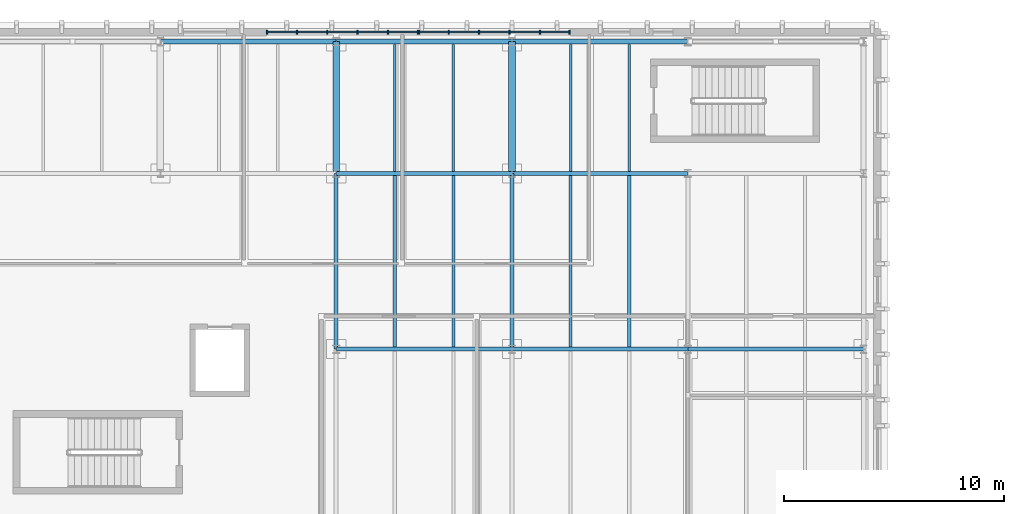
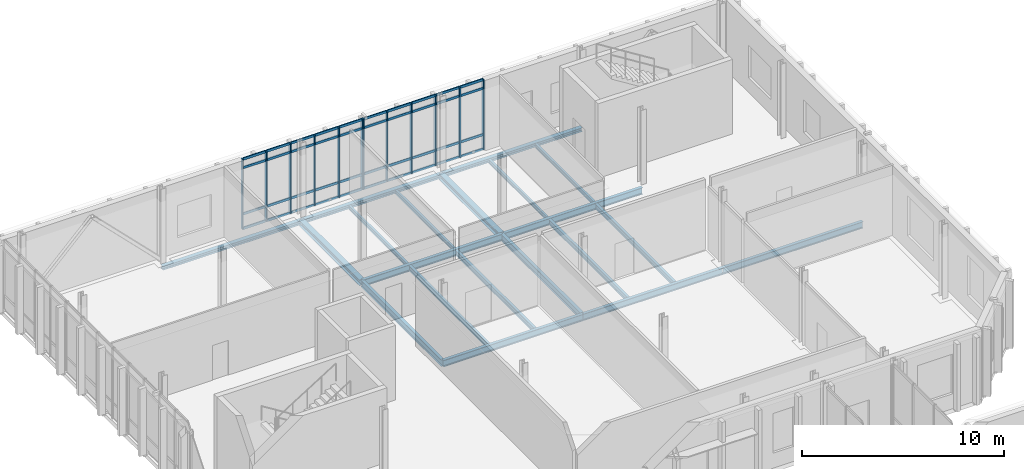
# One storey, part 36 of 86: 52 members, 20 beams, 2 elements without a shape of their own.
"""IFC4 building model written with IfcOpenShell, lengths in metres."""

from ifc_helpers import new_model, si_unit, direction, frame, origin, origin_2d, place, context, subcontext, project, spatial, rectangle, i_section, extrude, material, material_profile, profile_set, type_object, element, aggregate, save


model = new_model("IFC4")

# Units and contexts
model_context = context("Model", 3, precision=1e-05, world=origin(), true_north=direction((0.0, 1.0)))
body_context = subcontext(model_context, "Body", "Model", "MODEL_VIEW")
ifc_project = project(units=[si_unit("LENGTHUNIT", "METRE"), si_unit("AREAUNIT", "SQUARE_METRE"), si_unit("VOLUMEUNIT", "CUBIC_METRE"), si_unit("PLANEANGLEUNIT", "RADIAN"), si_unit("MASSUNIT", "GRAM", prefix="KILO")], contexts=[model_context])

# Site, building, storey
site_placement = place(None, origin())
site = spatial("IfcSite", under=ifc_project, at=site_placement, CompositionType="ELEMENT")
building_placement = place(site_placement, origin())
building = spatial("IfcBuilding", under=site, at=building_placement, Name="Cymarion Research Institute", CompositionType="ELEMENT")
storey_placement = place(building_placement, frame((0.0, 0.0, 13.800048828125)))
storey = spatial("IfcBuildingStorey", under=building, at=storey_placement, Name="L03", CompositionType="ELEMENT", Elevation=13.800048828125)

# Curtain wall, members
ifc_material_1 = material(Name="Anodised aluminium unitised curtain wall with Low-E glazing", Category="aluminium")
curtain_wall_type = type_object("IfcCurtainWallType", Name="UNITISED CURTAIN WALL CW23 6910X4250", PredefinedType="NOTDEFINED", material=ifc_material_1)
curtain_wall_1_placement = place(storey_placement, origin())
curtain_wall_1 = element("IfcCurtainWall", 1, at=curtain_wall_1_placement, inside=storey, type_object=curtain_wall_type, Name="L03 V5 unitised curtain wall CW23 #162", PredefinedType="NOTDEFINED")
ifc_material_2 = material(Name="Anodised aluminium framing", Category="aluminium")
ifc_material_profile_1 = material_profile(ifc_material_2, rectangle(XDim=0.06005859375, YDim=0.179931640625, at=origin_2d()), Name="ALU MULLION 60x180")
ifc_profile_set_1 = profile_set([ifc_material_profile_1], Name="Anodised aluminium framing")
member_type_1 = type_object("IfcMemberType", Name="CURTAIN WALL MULLION ML01 60X180", PredefinedType="MULLION", material=ifc_profile_set_1)
member_1_placement = place(storey_placement, frame((33.221923828125, 115.929931640625, 0.0), z_axis=(0.0, 0.0, 1.0), x_axis=(-1.0, 0.0, 0.0)))
member_1 = element("IfcMember", 2, at=member_1_placement, type_object=member_type_1, Name="CW23 mullion 1", PredefinedType="MULLION", context=body_context, shape_type="SweptSolid", body=[
    extrude(rectangle(XDim=0.06005859375, YDim=0.179931640625, at=origin_2d()), origin(), (0.0, 0.0, 1.0), 4.25),
])
member_2_placement = place(storey_placement, frame((31.869384765625, 115.929931640625, 0.0), z_axis=(0.0, 0.0, 1.0), x_axis=(-1.0, 0.0, 0.0)))
member_2 = element("IfcMember", 3, at=member_2_placement, type_object=member_type_1, Name="CW23 mullion 2", PredefinedType="MULLION", context=body_context, shape_type="SweptSolid", body=[
    extrude(rectangle(XDim=0.06005859375, YDim=0.179931640625, at=origin_2d()), origin(), (0.0, 0.0, 1.0), 4.25),
])
member_3_placement = place(storey_placement, frame((30.48681640625, 115.929931640625, 0.0), z_axis=(0.0, 0.0, 1.0), x_axis=(-1.0, 0.0, 0.0)))
member_3 = element("IfcMember", 4, at=member_3_placement, type_object=member_type_1, Name="CW23 mullion 3", PredefinedType="MULLION", context=body_context, shape_type="SweptSolid", body=[
    extrude(rectangle(XDim=0.06005859375, YDim=0.179931640625, at=origin_2d()), origin(), (0.0, 0.0, 1.0), 4.25),
])
member_4_placement = place(storey_placement, frame((29.104248046875, 115.929931640625, 0.0), z_axis=(0.0, 0.0, 1.0), x_axis=(-1.0, 0.0, 0.0)))
member_4 = element("IfcMember", 5, at=member_4_placement, type_object=member_type_1, Name="CW23 mullion 4", PredefinedType="MULLION", context=body_context, shape_type="SweptSolid", body=[
    extrude(rectangle(XDim=0.06005859375, YDim=0.179931640625, at=origin_2d()), origin(), (0.0, 0.0, 1.0), 4.25),
])
member_5_placement = place(storey_placement, frame((27.7216796875, 115.929931640625, 0.0), z_axis=(0.0, 0.0, 1.0), x_axis=(-1.0, 0.0, 0.0)))
member_5 = element("IfcMember", 6, at=member_5_placement, type_object=member_type_1, Name="CW23 mullion 5", PredefinedType="MULLION", context=body_context, shape_type="SweptSolid", body=[
    extrude(rectangle(XDim=0.06005859375, YDim=0.179931640625, at=origin_2d()), origin(), (0.0, 0.0, 1.0), 4.25),
])
member_6_placement = place(storey_placement, frame((26.368896484375, 115.929931640625, 0.0), z_axis=(0.0, 0.0, 1.0), x_axis=(-1.0, 0.0, 0.0)))
member_6 = element("IfcMember", 7, at=member_6_placement, type_object=member_type_1, Name="CW23 mullion 6", PredefinedType="MULLION", context=body_context, shape_type="SweptSolid", body=[
    extrude(rectangle(XDim=0.06005859375, YDim=0.179931640625, at=origin_2d()), origin(), (0.0, 0.0, 1.0), 4.25),
])

curtain_wall_2_placement = place(storey_placement, origin())
curtain_wall_2 = element("IfcCurtainWall", 8, at=curtain_wall_2_placement, inside=storey, type_object=curtain_wall_type, Name="L03 V5 unitised curtain wall CW23 #163", PredefinedType="NOTDEFINED")
member_7_placement = place(storey_placement, frame((26.30908203125, 115.929931640625, 0.0), z_axis=(0.0, 0.0, 1.0), x_axis=(-1.0, 0.0, 0.0)))
member_7 = element("IfcMember", 9, at=member_7_placement, type_object=member_type_1, Name="CW23 mullion 1", PredefinedType="MULLION", context=body_context, shape_type="SweptSolid", body=[
    extrude(rectangle(XDim=0.06005859375, YDim=0.179931640625, at=origin_2d()), origin(), (0.0, 0.0, 1.0), 4.25),
])
member_8_placement = place(storey_placement, frame((24.956298828125, 115.929931640625, 0.0), z_axis=(0.0, 0.0, 1.0), x_axis=(-1.0, 0.0, 0.0)))
member_8 = element("IfcMember", 10, at=member_8_placement, type_object=member_type_1, Name="CW23 mullion 2", PredefinedType="MULLION", context=body_context, shape_type="SweptSolid", body=[
    extrude(rectangle(XDim=0.06005859375, YDim=0.179931640625, at=origin_2d()), origin(), (0.0, 0.0, 1.0), 4.25),
])
member_9_placement = place(storey_placement, frame((23.57373046875, 115.929931640625, 0.0), z_axis=(0.0, 0.0, 1.0), x_axis=(-1.0, 0.0, 0.0)))
member_9 = element("IfcMember", 11, at=member_9_placement, type_object=member_type_1, Name="CW23 mullion 3", PredefinedType="MULLION", context=body_context, shape_type="SweptSolid", body=[
    extrude(rectangle(XDim=0.06005859375, YDim=0.179931640625, at=origin_2d()), origin(), (0.0, 0.0, 1.0), 4.25),
])
member_10_placement = place(storey_placement, frame((22.191162109375, 115.929931640625, 0.0), z_axis=(0.0, 0.0, 1.0), x_axis=(-1.0, 0.0, 0.0)))
member_10 = element("IfcMember", 12, at=member_10_placement, type_object=member_type_1, Name="CW23 mullion 4", PredefinedType="MULLION", context=body_context, shape_type="SweptSolid", body=[
    extrude(rectangle(XDim=0.06005859375, YDim=0.179931640625, at=origin_2d()), origin(), (0.0, 0.0, 1.0), 4.25),
])
member_11_placement = place(storey_placement, frame((20.80859375, 115.929931640625, 0.0), z_axis=(0.0, 0.0, 1.0), x_axis=(-1.0, 0.0, 0.0)))
member_11 = element("IfcMember", 13, at=member_11_placement, type_object=member_type_1, Name="CW23 mullion 5", PredefinedType="MULLION", context=body_context, shape_type="SweptSolid", body=[
    extrude(rectangle(XDim=0.06005859375, YDim=0.179931640625, at=origin_2d()), origin(), (0.0, 0.0, 1.0), 4.25),
])
member_12_placement = place(storey_placement, frame((19.4560546875, 115.929931640625, 0.0), z_axis=(0.0, 0.0, 1.0), x_axis=(-1.0, 0.0, 0.0)))
member_12 = element("IfcMember", 14, at=member_12_placement, type_object=member_type_1, Name="CW23 mullion 6", PredefinedType="MULLION", context=body_context, shape_type="SweptSolid", body=[
    extrude(rectangle(XDim=0.06005859375, YDim=0.179931640625, at=origin_2d()), origin(), (0.0, 0.0, 1.0), 4.25),
])

# Member
ifc_material_profile_2 = material_profile(ifc_material_2, rectangle(XDim=0.06005859375, YDim=0.14990234375, at=origin_2d()), Name="ALU TRANSOM 60x150")
ifc_profile_set_2 = profile_set([ifc_material_profile_2], Name="Anodised aluminium framing")
member_type_2 = type_object("IfcMemberType", Name="CURTAIN WALL TRANSOM TR01 60X150", PredefinedType="USERDEFINED", material=ifc_profile_set_2)
member_13_placement = place(storey_placement, frame((33.19189453125, 115.929931640625, 0.030029296875), z_axis=(-1.0, 0.0, 0.0), x_axis=(0.0, -1.0, 0.0)))
member_13 = element("IfcMember", 15, at=member_13_placement, type_object=member_type_2, Name="CW23 transom 1.1", ObjectType="TRANSOM", PredefinedType="USERDEFINED", context=body_context, shape_type="SweptSolid", body=[
    extrude(rectangle(XDim=0.06005859375, YDim=0.14990234375, at=origin_2d()), origin(), (0.0, 0.0, 1.0), 1.29248046875),
])

member_14_placement = place(storey_placement, frame((33.19189453125, 115.929931640625, 0.89990234375), z_axis=(-1.0, 0.0, 0.0), x_axis=(0.0, -1.0, 0.0)))
member_14 = element("IfcMember", 16, at=member_14_placement, type_object=member_type_2, Name="CW23 transom 1.2", ObjectType="TRANSOM", PredefinedType="USERDEFINED", context=body_context, shape_type="SweptSolid", body=[
    extrude(rectangle(XDim=0.06005859375, YDim=0.14990234375, at=origin_2d()), origin(), (0.0, 0.0, 1.0), 1.29248046875),
])

member_15_placement = place(storey_placement, frame((33.19189453125, 115.929931640625, 3.699951171875), z_axis=(-1.0, 0.0, 0.0), x_axis=(0.0, -1.0, 0.0)))
member_15 = element("IfcMember", 17, at=member_15_placement, type_object=member_type_2, Name="CW23 transom 1.3", ObjectType="TRANSOM", PredefinedType="USERDEFINED", context=body_context, shape_type="SweptSolid", body=[
    extrude(rectangle(XDim=0.06005859375, YDim=0.14990234375, at=origin_2d()), origin(), (0.0, 0.0, 1.0), 1.29248046875),
])

member_16_placement = place(storey_placement, frame((33.19189453125, 115.929931640625, 4.219970703125), z_axis=(-1.0, 0.0, 0.0), x_axis=(0.0, -1.0, 0.0)))
member_16 = element("IfcMember", 18, at=member_16_placement, type_object=member_type_2, Name="CW23 transom 1.4", ObjectType="TRANSOM", PredefinedType="USERDEFINED", context=body_context, shape_type="SweptSolid", body=[
    extrude(rectangle(XDim=0.06005859375, YDim=0.14990234375, at=origin_2d()), origin(), (0.0, 0.0, 1.0), 1.29248046875),
])

member_17_placement = place(storey_placement, frame((31.83935546875, 115.929931640625, 0.030029296875), z_axis=(-1.0, 0.0, 0.0), x_axis=(0.0, -1.0, 0.0)))
member_17 = element("IfcMember", 19, at=member_17_placement, type_object=member_type_2, Name="CW23 transom 2.1", ObjectType="TRANSOM", PredefinedType="USERDEFINED", context=body_context, shape_type="SweptSolid", body=[
    extrude(rectangle(XDim=0.06005859375, YDim=0.14990234375, at=origin_2d()), origin(), (0.0, 0.0, 1.0), 1.322509765625),
])

member_18_placement = place(storey_placement, frame((31.83935546875, 115.929931640625, 0.89990234375), z_axis=(-1.0, 0.0, 0.0), x_axis=(0.0, -1.0, 0.0)))
member_18 = element("IfcMember", 20, at=member_18_placement, type_object=member_type_2, Name="CW23 transom 2.2", ObjectType="TRANSOM", PredefinedType="USERDEFINED", context=body_context, shape_type="SweptSolid", body=[
    extrude(rectangle(XDim=0.06005859375, YDim=0.14990234375, at=origin_2d()), origin(), (0.0, 0.0, 1.0), 1.322509765625),
])

member_19_placement = place(storey_placement, frame((31.83935546875, 115.929931640625, 3.699951171875), z_axis=(-1.0, 0.0, 0.0), x_axis=(0.0, -1.0, 0.0)))
member_19 = element("IfcMember", 21, at=member_19_placement, type_object=member_type_2, Name="CW23 transom 2.3", ObjectType="TRANSOM", PredefinedType="USERDEFINED", context=body_context, shape_type="SweptSolid", body=[
    extrude(rectangle(XDim=0.06005859375, YDim=0.14990234375, at=origin_2d()), origin(), (0.0, 0.0, 1.0), 1.322509765625),
])

member_20_placement = place(storey_placement, frame((31.83935546875, 115.929931640625, 4.219970703125), z_axis=(-1.0, 0.0, 0.0), x_axis=(0.0, -1.0, 0.0)))
member_20 = element("IfcMember", 22, at=member_20_placement, type_object=member_type_2, Name="CW23 transom 2.4", ObjectType="TRANSOM", PredefinedType="USERDEFINED", context=body_context, shape_type="SweptSolid", body=[
    extrude(rectangle(XDim=0.06005859375, YDim=0.14990234375, at=origin_2d()), origin(), (0.0, 0.0, 1.0), 1.322509765625),
])

member_21_placement = place(storey_placement, frame((30.456787109375, 115.929931640625, 0.030029296875), z_axis=(-1.0, 0.0, 0.0), x_axis=(0.0, -1.0, 0.0)))
member_21 = element("IfcMember", 23, at=member_21_placement, type_object=member_type_2, Name="CW23 transom 3.1", ObjectType="TRANSOM", PredefinedType="USERDEFINED", context=body_context, shape_type="SweptSolid", body=[
    extrude(rectangle(XDim=0.06005859375, YDim=0.14990234375, at=origin_2d()), origin(), (0.0, 0.0, 1.0), 1.322509765625),
])

member_22_placement = place(storey_placement, frame((30.456787109375, 115.929931640625, 0.89990234375), z_axis=(-1.0, 0.0, 0.0), x_axis=(0.0, -1.0, 0.0)))
member_22 = element("IfcMember", 24, at=member_22_placement, type_object=member_type_2, Name="CW23 transom 3.2", ObjectType="TRANSOM", PredefinedType="USERDEFINED", context=body_context, shape_type="SweptSolid", body=[
    extrude(rectangle(XDim=0.06005859375, YDim=0.14990234375, at=origin_2d()), origin(), (0.0, 0.0, 1.0), 1.322509765625),
])

member_23_placement = place(storey_placement, frame((30.456787109375, 115.929931640625, 3.699951171875), z_axis=(-1.0, 0.0, 0.0), x_axis=(0.0, -1.0, 0.0)))
member_23 = element("IfcMember", 25, at=member_23_placement, type_object=member_type_2, Name="CW23 transom 3.3", ObjectType="TRANSOM", PredefinedType="USERDEFINED", context=body_context, shape_type="SweptSolid", body=[
    extrude(rectangle(XDim=0.06005859375, YDim=0.14990234375, at=origin_2d()), origin(), (0.0, 0.0, 1.0), 1.322509765625),
])

member_24_placement = place(storey_placement, frame((30.456787109375, 115.929931640625, 4.219970703125), z_axis=(-1.0, 0.0, 0.0), x_axis=(0.0, -1.0, 0.0)))
member_24 = element("IfcMember", 26, at=member_24_placement, type_object=member_type_2, Name="CW23 transom 3.4", ObjectType="TRANSOM", PredefinedType="USERDEFINED", context=body_context, shape_type="SweptSolid", body=[
    extrude(rectangle(XDim=0.06005859375, YDim=0.14990234375, at=origin_2d()), origin(), (0.0, 0.0, 1.0), 1.322509765625),
])

member_25_placement = place(storey_placement, frame((29.07421875, 115.929931640625, 0.030029296875), z_axis=(-1.0, 0.0, 0.0), x_axis=(0.0, -1.0, 0.0)))
member_25 = element("IfcMember", 27, at=member_25_placement, type_object=member_type_2, Name="CW23 transom 4.1", ObjectType="TRANSOM", PredefinedType="USERDEFINED", context=body_context, shape_type="SweptSolid", body=[
    extrude(rectangle(XDim=0.06005859375, YDim=0.14990234375, at=origin_2d()), origin(), (0.0, 0.0, 1.0), 1.322509765625),
])

member_26_placement = place(storey_placement, frame((29.07421875, 115.929931640625, 0.89990234375), z_axis=(-1.0, 0.0, 0.0), x_axis=(0.0, -1.0, 0.0)))
member_26 = element("IfcMember", 28, at=member_26_placement, type_object=member_type_2, Name="CW23 transom 4.2", ObjectType="TRANSOM", PredefinedType="USERDEFINED", context=body_context, shape_type="SweptSolid", body=[
    extrude(rectangle(XDim=0.06005859375, YDim=0.14990234375, at=origin_2d()), origin(), (0.0, 0.0, 1.0), 1.322509765625),
])

member_27_placement = place(storey_placement, frame((29.07421875, 115.929931640625, 3.699951171875), z_axis=(-1.0, 0.0, 0.0), x_axis=(0.0, -1.0, 0.0)))
member_27 = element("IfcMember", 29, at=member_27_placement, type_object=member_type_2, Name="CW23 transom 4.3", ObjectType="TRANSOM", PredefinedType="USERDEFINED", context=body_context, shape_type="SweptSolid", body=[
    extrude(rectangle(XDim=0.06005859375, YDim=0.14990234375, at=origin_2d()), origin(), (0.0, 0.0, 1.0), 1.322509765625),
])

member_28_placement = place(storey_placement, frame((29.07421875, 115.929931640625, 4.219970703125), z_axis=(-1.0, 0.0, 0.0), x_axis=(0.0, -1.0, 0.0)))
member_28 = element("IfcMember", 30, at=member_28_placement, type_object=member_type_2, Name="CW23 transom 4.4", ObjectType="TRANSOM", PredefinedType="USERDEFINED", context=body_context, shape_type="SweptSolid", body=[
    extrude(rectangle(XDim=0.06005859375, YDim=0.14990234375, at=origin_2d()), origin(), (0.0, 0.0, 1.0), 1.322509765625),
])

member_29_placement = place(storey_placement, frame((27.691650390625, 115.929931640625, 0.030029296875), z_axis=(-1.0, 0.0, 0.0), x_axis=(0.0, -1.0, 0.0)))
member_29 = element("IfcMember", 31, at=member_29_placement, type_object=member_type_2, Name="CW23 transom 5.1", ObjectType="TRANSOM", PredefinedType="USERDEFINED", context=body_context, shape_type="SweptSolid", body=[
    extrude(rectangle(XDim=0.06005859375, YDim=0.14990234375, at=origin_2d()), origin(), (0.0, 0.0, 1.0), 1.292724609375),
])

member_30_placement = place(storey_placement, frame((27.691650390625, 115.929931640625, 0.89990234375), z_axis=(-1.0, 0.0, 0.0), x_axis=(0.0, -1.0, 0.0)))
member_30 = element("IfcMember", 32, at=member_30_placement, type_object=member_type_2, Name="CW23 transom 5.2", ObjectType="TRANSOM", PredefinedType="USERDEFINED", context=body_context, shape_type="SweptSolid", body=[
    extrude(rectangle(XDim=0.06005859375, YDim=0.14990234375, at=origin_2d()), origin(), (0.0, 0.0, 1.0), 1.292724609375),
])

member_31_placement = place(storey_placement, frame((27.691650390625, 115.929931640625, 3.699951171875), z_axis=(-1.0, 0.0, 0.0), x_axis=(0.0, -1.0, 0.0)))
member_31 = element("IfcMember", 33, at=member_31_placement, type_object=member_type_2, Name="CW23 transom 5.3", ObjectType="TRANSOM", PredefinedType="USERDEFINED", context=body_context, shape_type="SweptSolid", body=[
    extrude(rectangle(XDim=0.06005859375, YDim=0.14990234375, at=origin_2d()), origin(), (0.0, 0.0, 1.0), 1.292724609375),
])

member_32_placement = place(storey_placement, frame((27.691650390625, 115.929931640625, 4.219970703125), z_axis=(-1.0, 0.0, 0.0), x_axis=(0.0, -1.0, 0.0)))
member_32 = element("IfcMember", 34, at=member_32_placement, type_object=member_type_2, Name="CW23 transom 5.4", ObjectType="TRANSOM", PredefinedType="USERDEFINED", context=body_context, shape_type="SweptSolid", body=[
    extrude(rectangle(XDim=0.06005859375, YDim=0.14990234375, at=origin_2d()), origin(), (0.0, 0.0, 1.0), 1.292724609375),
])

aggregate(curtain_wall_1, [member_1, member_2, member_3, member_4, member_5, member_6, member_13, member_14, member_15, member_16, member_17, member_18, member_19, member_20, member_21, member_22, member_23, member_24, member_25, member_26, member_27, member_28, member_29, member_30, member_31, member_32])

member_33_placement = place(storey_placement, frame((26.279052734375, 115.929931640625, 0.030029296875), z_axis=(-1.0, 0.0, 0.0), x_axis=(0.0, -1.0, 0.0)))
member_33 = element("IfcMember", 35, at=member_33_placement, type_object=member_type_2, Name="CW23 transom 1.1", ObjectType="TRANSOM", PredefinedType="USERDEFINED", context=body_context, shape_type="SweptSolid", body=[
    extrude(rectangle(XDim=0.06005859375, YDim=0.14990234375, at=origin_2d()), origin(), (0.0, 0.0, 1.0), 1.292724609375),
])

member_34_placement = place(storey_placement, frame((26.279052734375, 115.929931640625, 0.89990234375), z_axis=(-1.0, 0.0, 0.0), x_axis=(0.0, -1.0, 0.0)))
member_34 = element("IfcMember", 36, at=member_34_placement, type_object=member_type_2, Name="CW23 transom 1.2", ObjectType="TRANSOM", PredefinedType="USERDEFINED", context=body_context, shape_type="SweptSolid", body=[
    extrude(rectangle(XDim=0.06005859375, YDim=0.14990234375, at=origin_2d()), origin(), (0.0, 0.0, 1.0), 1.292724609375),
])

member_35_placement = place(storey_placement, frame((26.279052734375, 115.929931640625, 3.699951171875), z_axis=(-1.0, 0.0, 0.0), x_axis=(0.0, -1.0, 0.0)))
member_35 = element("IfcMember", 37, at=member_35_placement, type_object=member_type_2, Name="CW23 transom 1.3", ObjectType="TRANSOM", PredefinedType="USERDEFINED", context=body_context, shape_type="SweptSolid", body=[
    extrude(rectangle(XDim=0.06005859375, YDim=0.14990234375, at=origin_2d()), origin(), (0.0, 0.0, 1.0), 1.292724609375),
])

member_36_placement = place(storey_placement, frame((26.279052734375, 115.929931640625, 4.219970703125), z_axis=(-1.0, 0.0, 0.0), x_axis=(0.0, -1.0, 0.0)))
member_36 = element("IfcMember", 38, at=member_36_placement, type_object=member_type_2, Name="CW23 transom 1.4", ObjectType="TRANSOM", PredefinedType="USERDEFINED", context=body_context, shape_type="SweptSolid", body=[
    extrude(rectangle(XDim=0.06005859375, YDim=0.14990234375, at=origin_2d()), origin(), (0.0, 0.0, 1.0), 1.292724609375),
])

member_37_placement = place(storey_placement, frame((24.926513671875, 115.929931640625, 0.030029296875), z_axis=(-1.0, 0.0, 0.0), x_axis=(0.0, -1.0, 0.0)))
member_37 = element("IfcMember", 39, at=member_37_placement, type_object=member_type_2, Name="CW23 transom 2.1", ObjectType="TRANSOM", PredefinedType="USERDEFINED", context=body_context, shape_type="SweptSolid", body=[
    extrude(rectangle(XDim=0.06005859375, YDim=0.14990234375, at=origin_2d()), origin(), (0.0, 0.0, 1.0), 1.32275390625),
])

member_38_placement = place(storey_placement, frame((24.926513671875, 115.929931640625, 0.89990234375), z_axis=(-1.0, 0.0, 0.0), x_axis=(0.0, -1.0, 0.0)))
member_38 = element("IfcMember", 40, at=member_38_placement, type_object=member_type_2, Name="CW23 transom 2.2", ObjectType="TRANSOM", PredefinedType="USERDEFINED", context=body_context, shape_type="SweptSolid", body=[
    extrude(rectangle(XDim=0.06005859375, YDim=0.14990234375, at=origin_2d()), origin(), (0.0, 0.0, 1.0), 1.32275390625),
])

member_39_placement = place(storey_placement, frame((24.926513671875, 115.929931640625, 3.699951171875), z_axis=(-1.0, 0.0, 0.0), x_axis=(0.0, -1.0, 0.0)))
member_39 = element("IfcMember", 41, at=member_39_placement, type_object=member_type_2, Name="CW23 transom 2.3", ObjectType="TRANSOM", PredefinedType="USERDEFINED", context=body_context, shape_type="SweptSolid", body=[
    extrude(rectangle(XDim=0.06005859375, YDim=0.14990234375, at=origin_2d()), origin(), (0.0, 0.0, 1.0), 1.32275390625),
])

member_40_placement = place(storey_placement, frame((24.926513671875, 115.929931640625, 4.219970703125), z_axis=(-1.0, 0.0, 0.0), x_axis=(0.0, -1.0, 0.0)))
member_40 = element("IfcMember", 42, at=member_40_placement, type_object=member_type_2, Name="CW23 transom 2.4", ObjectType="TRANSOM", PredefinedType="USERDEFINED", context=body_context, shape_type="SweptSolid", body=[
    extrude(rectangle(XDim=0.06005859375, YDim=0.14990234375, at=origin_2d()), origin(), (0.0, 0.0, 1.0), 1.32275390625),
])

member_41_placement = place(storey_placement, frame((23.543701171875, 115.929931640625, 0.030029296875), z_axis=(-1.0, 0.0, 0.0), x_axis=(0.0, -1.0, 0.0)))
member_41 = element("IfcMember", 43, at=member_41_placement, type_object=member_type_2, Name="CW23 transom 3.1", ObjectType="TRANSOM", PredefinedType="USERDEFINED", context=body_context, shape_type="SweptSolid", body=[
    extrude(rectangle(XDim=0.06005859375, YDim=0.14990234375, at=origin_2d()), origin(), (0.0, 0.0, 1.0), 1.322509765625),
])

member_42_placement = place(storey_placement, frame((23.543701171875, 115.929931640625, 0.89990234375), z_axis=(-1.0, 0.0, 0.0), x_axis=(0.0, -1.0, 0.0)))
member_42 = element("IfcMember", 44, at=member_42_placement, type_object=member_type_2, Name="CW23 transom 3.2", ObjectType="TRANSOM", PredefinedType="USERDEFINED", context=body_context, shape_type="SweptSolid", body=[
    extrude(rectangle(XDim=0.06005859375, YDim=0.14990234375, at=origin_2d()), origin(), (0.0, 0.0, 1.0), 1.322509765625),
])

member_43_placement = place(storey_placement, frame((23.543701171875, 115.929931640625, 3.699951171875), z_axis=(-1.0, 0.0, 0.0), x_axis=(0.0, -1.0, 0.0)))
member_43 = element("IfcMember", 45, at=member_43_placement, type_object=member_type_2, Name="CW23 transom 3.3", ObjectType="TRANSOM", PredefinedType="USERDEFINED", context=body_context, shape_type="SweptSolid", body=[
    extrude(rectangle(XDim=0.06005859375, YDim=0.14990234375, at=origin_2d()), origin(), (0.0, 0.0, 1.0), 1.322509765625),
])

member_44_placement = place(storey_placement, frame((23.543701171875, 115.929931640625, 4.219970703125), z_axis=(-1.0, 0.0, 0.0), x_axis=(0.0, -1.0, 0.0)))
member_44 = element("IfcMember", 46, at=member_44_placement, type_object=member_type_2, Name="CW23 transom 3.4", ObjectType="TRANSOM", PredefinedType="USERDEFINED", context=body_context, shape_type="SweptSolid", body=[
    extrude(rectangle(XDim=0.06005859375, YDim=0.14990234375, at=origin_2d()), origin(), (0.0, 0.0, 1.0), 1.322509765625),
])

member_45_placement = place(storey_placement, frame((22.1611328125, 115.929931640625, 0.030029296875), z_axis=(-1.0, 0.0, 0.0), x_axis=(0.0, -1.0, 0.0)))
member_45 = element("IfcMember", 47, at=member_45_placement, type_object=member_type_2, Name="CW23 transom 4.1", ObjectType="TRANSOM", PredefinedType="USERDEFINED", context=body_context, shape_type="SweptSolid", body=[
    extrude(rectangle(XDim=0.06005859375, YDim=0.14990234375, at=origin_2d()), origin(), (0.0, 0.0, 1.0), 1.322509765625),
])

member_46_placement = place(storey_placement, frame((22.1611328125, 115.929931640625, 0.89990234375), z_axis=(-1.0, 0.0, 0.0), x_axis=(0.0, -1.0, 0.0)))
member_46 = element("IfcMember", 48, at=member_46_placement, type_object=member_type_2, Name="CW23 transom 4.2", ObjectType="TRANSOM", PredefinedType="USERDEFINED", context=body_context, shape_type="SweptSolid", body=[
    extrude(rectangle(XDim=0.06005859375, YDim=0.14990234375, at=origin_2d()), origin(), (0.0, 0.0, 1.0), 1.322509765625),
])

member_47_placement = place(storey_placement, frame((22.1611328125, 115.929931640625, 3.699951171875), z_axis=(-1.0, 0.0, 0.0), x_axis=(0.0, -1.0, 0.0)))
member_47 = element("IfcMember", 49, at=member_47_placement, type_object=member_type_2, Name="CW23 transom 4.3", ObjectType="TRANSOM", PredefinedType="USERDEFINED", context=body_context, shape_type="SweptSolid", body=[
    extrude(rectangle(XDim=0.06005859375, YDim=0.14990234375, at=origin_2d()), origin(), (0.0, 0.0, 1.0), 1.322509765625),
])

member_48_placement = place(storey_placement, frame((22.1611328125, 115.929931640625, 4.219970703125), z_axis=(-1.0, 0.0, 0.0), x_axis=(0.0, -1.0, 0.0)))
member_48 = element("IfcMember", 50, at=member_48_placement, type_object=member_type_2, Name="CW23 transom 4.4", ObjectType="TRANSOM", PredefinedType="USERDEFINED", context=body_context, shape_type="SweptSolid", body=[
    extrude(rectangle(XDim=0.06005859375, YDim=0.14990234375, at=origin_2d()), origin(), (0.0, 0.0, 1.0), 1.322509765625),
])

member_49_placement = place(storey_placement, frame((20.778564453125, 115.929931640625, 0.030029296875), z_axis=(-1.0, 0.0, 0.0), x_axis=(0.0, -1.0, 0.0)))
member_49 = element("IfcMember", 51, at=member_49_placement, type_object=member_type_2, Name="CW23 transom 5.1", ObjectType="TRANSOM", PredefinedType="USERDEFINED", context=body_context, shape_type="SweptSolid", body=[
    extrude(rectangle(XDim=0.06005859375, YDim=0.14990234375, at=origin_2d()), origin(), (0.0, 0.0, 1.0), 1.29248046875),
])

member_50_placement = place(storey_placement, frame((20.778564453125, 115.929931640625, 0.89990234375), z_axis=(-1.0, 0.0, 0.0), x_axis=(0.0, -1.0, 0.0)))
member_50 = element("IfcMember", 52, at=member_50_placement, type_object=member_type_2, Name="CW23 transom 5.2", ObjectType="TRANSOM", PredefinedType="USERDEFINED", context=body_context, shape_type="SweptSolid", body=[
    extrude(rectangle(XDim=0.06005859375, YDim=0.14990234375, at=origin_2d()), origin(), (0.0, 0.0, 1.0), 1.29248046875),
])

member_51_placement = place(storey_placement, frame((20.778564453125, 115.929931640625, 3.699951171875), z_axis=(-1.0, 0.0, 0.0), x_axis=(0.0, -1.0, 0.0)))
member_51 = element("IfcMember", 53, at=member_51_placement, type_object=member_type_2, Name="CW23 transom 5.3", ObjectType="TRANSOM", PredefinedType="USERDEFINED", context=body_context, shape_type="SweptSolid", body=[
    extrude(rectangle(XDim=0.06005859375, YDim=0.14990234375, at=origin_2d()), origin(), (0.0, 0.0, 1.0), 1.29248046875),
])

member_52_placement = place(storey_placement, frame((20.778564453125, 115.929931640625, 4.219970703125), z_axis=(-1.0, 0.0, 0.0), x_axis=(0.0, -1.0, 0.0)))
member_52 = element("IfcMember", 54, at=member_52_placement, type_object=member_type_2, Name="CW23 transom 5.4", ObjectType="TRANSOM", PredefinedType="USERDEFINED", context=body_context, shape_type="SweptSolid", body=[
    extrude(rectangle(XDim=0.06005859375, YDim=0.14990234375, at=origin_2d()), origin(), (0.0, 0.0, 1.0), 1.29248046875),
])

aggregate(curtain_wall_2, [member_7, member_8, member_9, member_10, member_11, member_12, member_33, member_34, member_35, member_36, member_37, member_38, member_39, member_40, member_41, member_42, member_43, member_44, member_45, member_46, member_47, member_48, member_49, member_50, member_51, member_52])

# Beams
ifc_material_3 = material(Name="Steel S355", Category="steel")
ifc_material_profile_3 = material_profile(ifc_material_3, i_section(OverallWidth=0.179931640625, OverallDepth=0.39990234375, WebThickness=0.008544921875, FlangeThickness=0.013427734375, FilletRadius=0.02099609375, at=origin_2d()), Name="IPE 400")
ifc_profile_set_3 = profile_set([ifc_material_profile_3], Name="Steel S355")
beam_type_1 = type_object("IfcBeamType", Name="PRIMARY GIRDER BM05 IPE 400", PredefinedType="BEAM", material=ifc_profile_set_3)
for number, where, z_axis, x_axis, name in (
    (55, (22.60595703125, 101.5, -0.449951171875), (1.0, 0.0, 0.0), (0.0, 1.0, 0.0), "L03 V5 girder BM05 #1533"),
    (56, (30.60595703125, 101.5, -0.449951171875), (1.0, 0.0, 0.0), (0.0, 1.0, 0.0), "L03 V5 girder BM05 #1534"),
    (57, (38.60595703125, 101.5, -0.449951171875), (1.0, 0.0, 0.0), (0.0, 1.0, 0.0), "L03 V5 girder BM05 #1535"),
    (58, (22.60595703125, 109.5, -0.449951171875), (1.0, 0.0, 0.0), (0.0, 1.0, 0.0), "L03 V5 girder BM05 #1538"),
    (59, (30.60595703125, 109.5, -0.449951171875), (1.0, 0.0, 0.0), (0.0, 1.0, 0.0), "L03 V5 girder BM05 #1539"),
):
    element("IfcBeam", number, at=place(storey_placement, frame(where, z_axis=z_axis, x_axis=x_axis)), inside=storey, type_object=beam_type_1, Name=name, PredefinedType="BEAM", context=body_context, shape_type="SweptSolid", body=[
        extrude(i_section(OverallWidth=0.179931640625, OverallDepth=0.39990234375, WebThickness=0.008544921875, FlangeThickness=0.013427734375, FilletRadius=0.02099609375, at=origin_2d()), origin(), (0.0, 0.0, 1.0), 7.988037109375),
    ])
for number, where, z_axis, x_axis, name in (
    (60, (22.60009765625, 101.506103515625, -0.449951171875), (0.0, 1.0, 0.0), (-1.0, 0.0, 0.0), "L03 V5 girder BM05 #1554"),
    (61, (30.60009765625, 101.506103515625, -0.449951171875), (0.0, 1.0, 0.0), (-1.0, 0.0, 0.0), "L03 V5 girder BM05 #1558"),
):
    element("IfcBeam", number, at=place(storey_placement, frame(where, z_axis=z_axis, x_axis=x_axis)), inside=storey, type_object=beam_type_1, Name=name, PredefinedType="BEAM", context=body_context, shape_type="SweptSolid", body=[
        extrude(i_section(OverallWidth=0.179931640625, OverallDepth=0.39990234375, WebThickness=0.008544921875, FlangeThickness=0.013427734375, FilletRadius=0.02099609375, at=origin_2d()), origin(), (0.0, 0.0, 1.0), 7.98779296875),
    ])
ifc_material_profile_4 = material_profile(ifc_material_3, i_section(OverallWidth=0.300048828125, OverallDepth=0.35009765625, WebThickness=0.010009765625, FlangeThickness=0.017578125, FilletRadius=0.027099609375, at=origin_2d()), Name="HEA 360")
ifc_profile_set_4 = profile_set([ifc_material_profile_4], Name="Steel S355")
beam_type_2 = type_object("IfcBeamType", Name="PRIMARY GIRDER BM12 HEA 360", PredefinedType="BEAM", material=ifc_profile_set_4)
for number, where, z_axis, x_axis, name in (
    (62, (22.60009765625, 109.506103515625, -0.425048828125), (0.0, 1.0, 0.0), (-1.0, 0.0, 0.0), "L03 V5 girder BM12 #1555"),
    (63, (30.60009765625, 109.506103515625, -0.425048828125), (0.0, 1.0, 0.0), (-1.0, 0.0, 0.0), "L03 V5 girder BM12 #1559"),
):
    element("IfcBeam", number, at=place(storey_placement, frame(where, z_axis=z_axis, x_axis=x_axis)), inside=storey, type_object=beam_type_2, Name=name, PredefinedType="BEAM", context=body_context, shape_type="SweptSolid", body=[
        extrude(i_section(OverallWidth=0.300048828125, OverallDepth=0.35009765625, WebThickness=0.010009765625, FlangeThickness=0.017578125, FilletRadius=0.027099609375, at=origin_2d()), origin(), (0.0, 0.0, 1.0), 5.98779296875),
    ])
ifc_material_profile_5 = material_profile(ifc_material_3, i_section(OverallWidth=0.14990234375, OverallDepth=0.300048828125, WebThickness=0.007080078125, FlangeThickness=0.0107421875, FilletRadius=0.014892578125, at=origin_2d()), Name="IPE 300")
ifc_profile_set_5 = profile_set([ifc_material_profile_5], Name="Steel S355")
beam_type_3 = type_object("IfcBeamType", Name="SECONDARY JOIST JS02 IPE 300", PredefinedType="JOIST", material=ifc_profile_set_5)
for number, where, z_axis, x_axis, name in (
    (64, (25.2666015625, 101.593994140625, -0.400146484375), (0.0, 1.0, 0.0), (-1.0, 0.0, 0.0), "L03 V5 secondary joist JS02 #1578"),
    (65, (27.933349609375, 101.593994140625, -0.400146484375), (0.0, 1.0, 0.0), (-1.0, 0.0, 0.0), "L03 V5 secondary joist JS02 #1579"),
    (66, (33.2666015625, 101.593994140625, -0.400146484375), (0.0, 1.0, 0.0), (-1.0, 0.0, 0.0), "L03 V5 secondary joist JS02 #1580"),
    (67, (35.933349609375, 101.593994140625, -0.400146484375), (0.0, 1.0, 0.0), (-1.0, 0.0, 0.0), "L03 V5 secondary joist JS02 #1581"),
):
    element("IfcBeam", number, at=place(storey_placement, frame(where, z_axis=z_axis, x_axis=x_axis)), inside=storey, type_object=beam_type_3, Name=name, PredefinedType="JOIST", context=body_context, shape_type="SweptSolid", body=[
        extrude(i_section(OverallWidth=0.14990234375, OverallDepth=0.300048828125, WebThickness=0.007080078125, FlangeThickness=0.0107421875, FilletRadius=0.014892578125, at=origin_2d()), origin(), (0.0, 0.0, 1.0), 7.81201171875),
    ])
ifc_material_profile_6 = material_profile(ifc_material_3, i_section(OverallWidth=0.1201171875, OverallDepth=0.239990234375, WebThickness=0.006103515625, FlangeThickness=0.009765625, FilletRadius=0.014892578125, at=origin_2d()), Name="IPE 240")
ifc_profile_set_6 = profile_set([ifc_material_profile_6], Name="Steel S355")
beam_type_4 = type_object("IfcBeamType", Name="SECONDARY JOIST JS04 IPE 240", PredefinedType="JOIST", material=ifc_profile_set_6)
for number, where, z_axis, x_axis, name in (
    (68, (25.2666015625, 109.593994140625, -0.3701171875), (0.0, 1.0, 0.0), (-1.0, 0.0, 0.0), "L03 V5 secondary joist JS04 #1588"),
    (69, (27.933349609375, 109.593994140625, -0.3701171875), (0.0, 1.0, 0.0), (-1.0, 0.0, 0.0), "L03 V5 secondary joist JS04 #1589"),
    (70, (33.2666015625, 109.593994140625, -0.3701171875), (0.0, 1.0, 0.0), (-1.0, 0.0, 0.0), "L03 V5 secondary joist JS04 #1590"),
    (71, (35.933349609375, 109.593994140625, -0.3701171875), (0.0, 1.0, 0.0), (-1.0, 0.0, 0.0), "L03 V5 secondary joist JS04 #1591"),
):
    element("IfcBeam", number, at=place(storey_placement, frame(where, z_axis=z_axis, x_axis=x_axis)), inside=storey, type_object=beam_type_4, Name=name, PredefinedType="JOIST", context=body_context, shape_type="SweptSolid", body=[
        extrude(i_section(OverallWidth=0.1201171875, OverallDepth=0.239990234375, WebThickness=0.006103515625, FlangeThickness=0.009765625, FilletRadius=0.014892578125, at=origin_2d()), origin(), (0.0, 0.0, 1.0), 5.781982421875),
    ])
ifc_material_profile_7 = material_profile(ifc_material_3, i_section(OverallWidth=0.239990234375, OverallDepth=0.22998046875, WebThickness=0.007568359375, FlangeThickness=0.011962890625, FilletRadius=0.02099609375, at=origin_2d()), Name="HEA 240")
ifc_profile_set_7 = profile_set([ifc_material_profile_7], Name="Steel S355")
beam_type_5 = type_object("IfcBeamType", Name="SPANDREL BEAM SPB03 HEA 240", PredefinedType="SPANDREL", material=ifc_profile_set_7)
for number, where, z_axis, x_axis, name in (
    (72, (14.60595703125, 115.5, -0.364990234375), (1.0, 0.0, 0.0), (0.0, 1.0, 0.0), "L03 V5 girder SPB03 #1542"),
    (73, (22.60595703125, 115.5, -0.364990234375), (1.0, 0.0, 0.0), (0.0, 1.0, 0.0), "L03 V5 girder SPB03 #1543"),
    (74, (30.60595703125, 115.5, -0.364990234375), (1.0, 0.0, 0.0), (0.0, 1.0, 0.0), "L03 V5 girder SPB03 #1544"),
):
    element("IfcBeam", number, at=place(storey_placement, frame(where, z_axis=z_axis, x_axis=x_axis)), inside=storey, type_object=beam_type_5, Name=name, PredefinedType="SPANDREL", context=body_context, shape_type="SweptSolid", body=[
        extrude(i_section(OverallWidth=0.239990234375, OverallDepth=0.22998046875, WebThickness=0.007568359375, FlangeThickness=0.011962890625, FilletRadius=0.02099609375, at=origin_2d()), origin(), (0.0, 0.0, 1.0), 7.988037109375),
    ])

save(model, "model.ifc")
